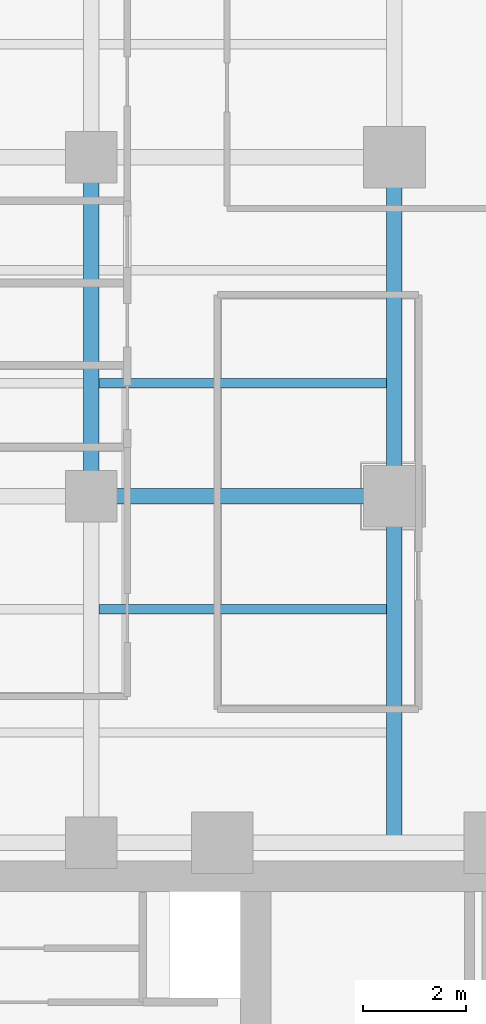
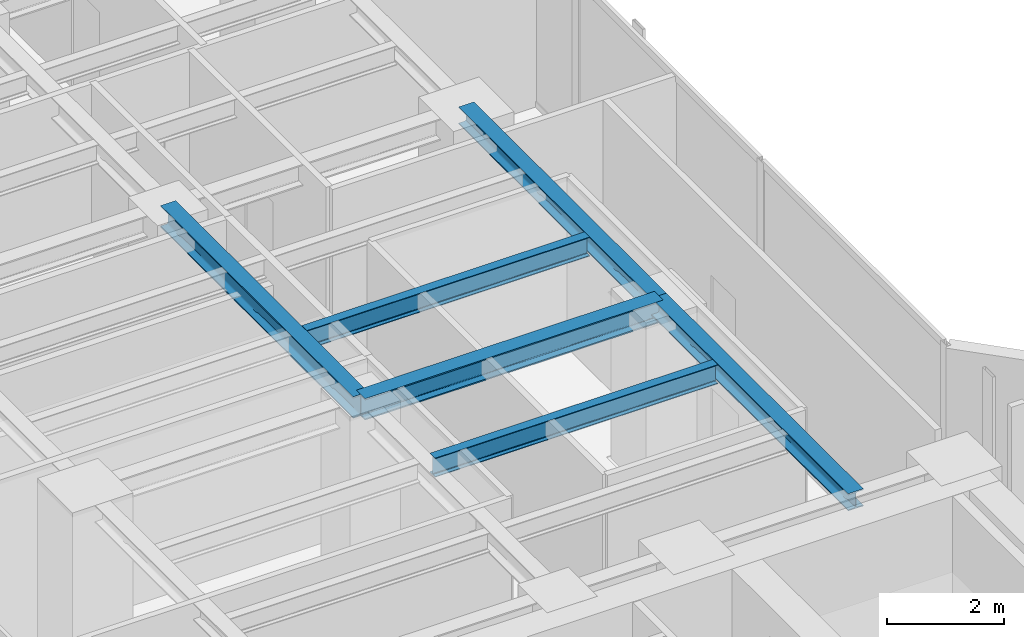
# One storey, part 8 of 26: 6 beams.
"""IFC4 building model written with IfcOpenShell, lengths in metres."""

from ifc_helpers import new_model, si_unit, direction, frame, origin, origin_2d, place, context, subcontext, project, spatial, i_section, extrude, material, material_profile, profile_set, type_object, element, save


model = new_model("IFC4")

# Units and contexts
model_context = context("Model", 3, precision=1e-05, world=origin(), true_north=direction((0.0, 1.0)))
body_context = subcontext(model_context, "Body", "Model", "MODEL_VIEW")
ifc_project = project(units=[si_unit("LENGTHUNIT", "METRE"), si_unit("AREAUNIT", "SQUARE_METRE"), si_unit("VOLUMEUNIT", "CUBIC_METRE"), si_unit("PLANEANGLEUNIT", "RADIAN"), si_unit("MASSUNIT", "GRAM", prefix="KILO")], contexts=[model_context])

# Site, building, storey
site_placement = place(None, origin())
site = spatial("IfcSite", under=ifc_project, at=site_placement, CompositionType="ELEMENT")
building_placement = place(site_placement, origin())
building = spatial("IfcBuilding", under=site, at=building_placement, Name="Kolvaren Waterfront Exchange", CompositionType="ELEMENT")
storey_placement = place(building_placement, frame((0.0, 0.0, 150.0)))
storey = spatial("IfcBuildingStorey", under=building, at=storey_placement, Name="L38", CompositionType="ELEMENT", Elevation=150.0)

# Beams
ifc_material = material(Name="Steel S355", Category="steel")
ifc_material_profile_1 = material_profile(ifc_material, i_section(OverallWidth=0.300048828125, OverallDepth=0.360107421875, WebThickness=0.012451171875, FlangeThickness=0.0224609375, FilletRadius=0.027099609375, at=origin_2d()), Name="HEB360")
ifc_profile_set_1 = profile_set([ifc_material_profile_1], Name="Steel S355")
beam_type_1 = type_object("IfcBeamType", Name="STR-BM-HEB360", PredefinedType="SPANDREL", material=ifc_profile_set_1)
beam_1_placement = place(storey_placement, frame((18.800048828125, 24.449951171875, 3.3798828125), z_axis=(0.0, 1.0, 0.0), x_axis=(-1.0, 0.0, 0.0)))
element("IfcBeam", 1, at=beam_1_placement, inside=storey, type_object=beam_type_1, Name="L38 north-arm edge beam 1", PredefinedType="SPANDREL", context=body_context, shape_type="SweptSolid", body=[
    extrude(i_section(OverallWidth=0.300048828125, OverallDepth=0.360107421875, WebThickness=0.012451171875, FlangeThickness=0.0224609375, FilletRadius=0.027099609375, at=origin_2d()), origin(), (0.0, 0.0, 1.0), 6.75),
])
beam_2_placement = place(storey_placement, frame((18.800048828125, 31.199951171875, 3.3798828125), z_axis=(0.0, 1.0, 0.0), x_axis=(-1.0, 0.0, 0.0)))
element("IfcBeam", 2, at=beam_2_placement, inside=storey, type_object=beam_type_1, Name="L38 north-arm edge beam 2", PredefinedType="SPANDREL", context=body_context, shape_type="SweptSolid", body=[
    extrude(i_section(OverallWidth=0.300048828125, OverallDepth=0.360107421875, WebThickness=0.012451171875, FlangeThickness=0.0224609375, FilletRadius=0.027099609375, at=origin_2d()), origin(), (0.0, 0.0, 1.0), 6.60009765625),
])
ifc_material_profile_2 = material_profile(ifc_material, i_section(OverallWidth=0.300048828125, OverallDepth=0.449951171875, WebThickness=0.013916015625, FlangeThickness=0.02587890625, FilletRadius=0.027099609375, at=origin_2d()), Name="HEB450")
ifc_profile_set_2 = profile_set([ifc_material_profile_2], Name="Steel S355")
beam_type_2 = type_object("IfcBeamType", Name="STR-BM-HEB450", PredefinedType="BEAM", material=ifc_profile_set_2)
beam_3_placement = place(storey_placement, frame((12.89990234375, 31.199951171875, 3.3349609375), z_axis=(1.0, 0.0, 0.0), x_axis=(0.0, 1.0, 0.0)))
element("IfcBeam", 3, at=beam_3_placement, inside=storey, type_object=beam_type_2, Name="L38 north-arm girder 2B", PredefinedType="BEAM", context=body_context, shape_type="SweptSolid", body=[
    extrude(i_section(OverallWidth=0.300048828125, OverallDepth=0.449951171875, WebThickness=0.013916015625, FlangeThickness=0.02587890625, FilletRadius=0.027099609375, at=origin_2d()), origin(), (0.0, 0.0, 1.0), 5.900146484375),
])
beam_4_placement = place(storey_placement, frame((12.89990234375, 31.199951171875, 3.3349609375), z_axis=(0.0, 1.0, 0.0), x_axis=(-1.0, 0.0, 0.0)))
element("IfcBeam", 4, at=beam_4_placement, inside=storey, type_object=beam_type_2, Name="L38 north-arm edge beam 2", PredefinedType="BEAM", context=body_context, shape_type="SweptSolid", body=[
    extrude(i_section(OverallWidth=0.300048828125, OverallDepth=0.449951171875, WebThickness=0.013916015625, FlangeThickness=0.02587890625, FilletRadius=0.027099609375, at=origin_2d()), origin(), (0.0, 0.0, 1.0), 6.60009765625),
])
ifc_material_profile_3 = material_profile(ifc_material, i_section(OverallWidth=0.179931640625, OverallDepth=0.39990234375, WebThickness=0.008544921875, FlangeThickness=0.013427734375, FilletRadius=0.02099609375, at=origin_2d()), Name="IPE400")
ifc_profile_set_3 = profile_set([ifc_material_profile_3], Name="Steel S355")
beam_type_3 = type_object("IfcBeamType", Name="STR-BM-IPE400", PredefinedType="JOIST", material=ifc_profile_set_3)
for number, where, z_axis, x_axis, name in (
    (5, (13.052001953125, 29.0, 3.360107421875), (1.0, 0.0, 0.0), (0.0, 1.0, 0.0), "L38 north-arm composite joist 2B"),
    (6, (13.052001953125, 33.39990234375, 3.360107421875), (1.0, 0.0, 0.0), (0.0, 1.0, 0.0), "L38 north-arm composite joist 3B"),
):
    element("IfcBeam", number, at=place(storey_placement, frame(where, z_axis=z_axis, x_axis=x_axis)), inside=storey, type_object=beam_type_3, Name=name, PredefinedType="JOIST", context=body_context, shape_type="SweptSolid", body=[
        extrude(i_section(OverallWidth=0.179931640625, OverallDepth=0.39990234375, WebThickness=0.008544921875, FlangeThickness=0.013427734375, FilletRadius=0.02099609375, at=origin_2d()), origin(), (0.0, 0.0, 1.0), 5.595947265625),
    ])

save(model, "model.ifc")
